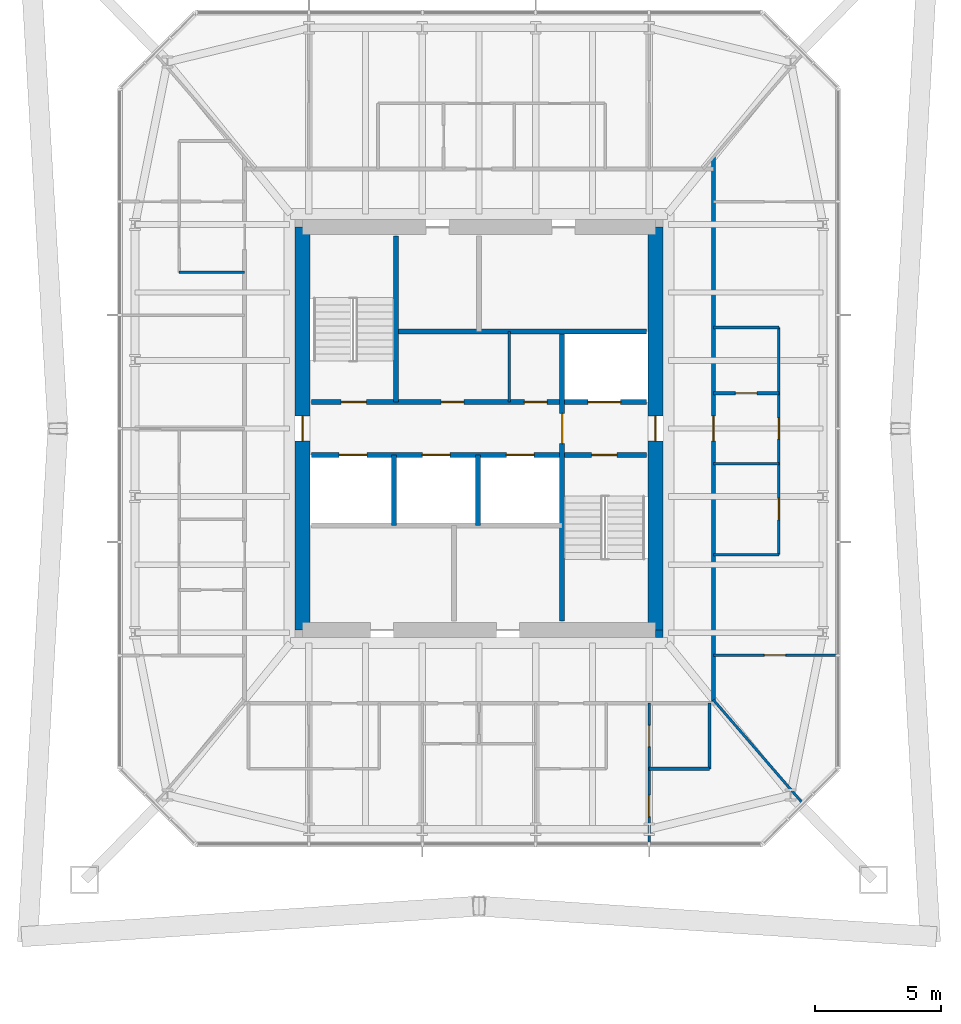
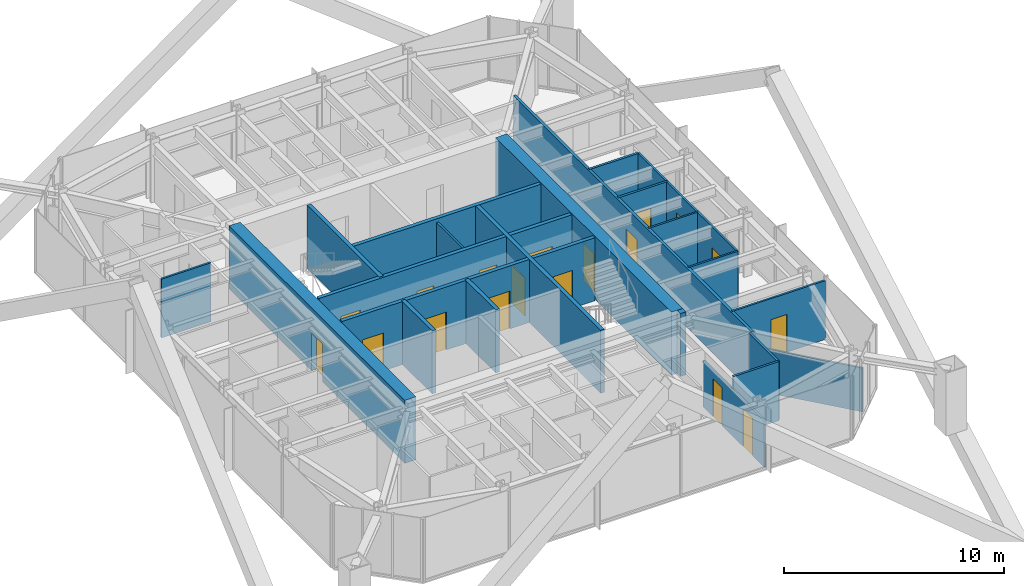
# One storey, part 15 of 21: 23 walls, 18 doors, 18 openings.
"""IFC4 building model written with IfcOpenShell, lengths in metres."""

from ifc_helpers import new_model, si_unit, direction, frame, frame_2d, origin, place, context, subcontext, project, spatial, rectangle, extrude, material, layer, layer_set, type_object, element, fill, save


model = new_model("IFC4")

# Units and contexts
model_context = context("Model", 3, precision=1e-05, world=origin(), true_north=direction((0.0, 1.0)))
body_context = subcontext(model_context, "Body", "Model", "MODEL_VIEW")
ifc_project = project(units=[si_unit("LENGTHUNIT", "METRE"), si_unit("AREAUNIT", "SQUARE_METRE"), si_unit("VOLUMEUNIT", "CUBIC_METRE"), si_unit("PLANEANGLEUNIT", "RADIAN"), si_unit("MASSUNIT", "GRAM", prefix="KILO")], contexts=[model_context])

# Site, building, storey
site_placement = place(None, origin())
site = spatial("IfcSite", under=ifc_project, at=site_placement, CompositionType="ELEMENT")
building_placement = place(site_placement, origin())
building = spatial("IfcBuilding", under=site, at=building_placement, Name="Iwan Alto Co-Living Towers", CompositionType="ELEMENT")
storey_placement = place(building_placement, frame((0.0, 0.0, 80.5)))
storey = spatial("IfcBuildingStorey", under=building, at=storey_placement, Name="L21", CompositionType="ELEMENT", Elevation=80.5)

# Wall, opening, door
ifc_material_1 = material(Name="Gypsum board")
ifc_layer_1 = layer(ifc_material_1, 0.02490234375, Name="Board", Category="Finish")
ifc_material_2 = material(Name="Steel ASTM A1003 ST33H cold-formed studs", Category="steel")
ifc_layer_2 = layer(ifc_material_2, 0.10009765625, Name="Studs", Category="Framing")
ifc_layer_3 = layer(ifc_material_1, 0.02490234375, Name="Board", Category="Finish")
ifc_layer_set_1 = layer_set([ifc_layer_1, ifc_layer_2, ifc_layer_3], Name="CORRIDOR WALL 150")
wall_type_1 = type_object("IfcWallType", Name="CORRIDOR WALL 150", PredefinedType="PARTITIONING", material=ifc_layer_set_1)
wall_1_placement = place(storey_placement, frame((72.300048828125, -10.89990234375, 0.0), z_axis=(0.0, 0.0, 1.0), x_axis=(0.0, 1.0, 0.0)))
wall_1 = element("IfcWall", 1, at=wall_1_placement, inside=storey, type_object=wall_type_1, Name="Partition L21", PredefinedType="PARTITIONING", context=body_context, shape_type="SweptSolid", body=[
    extrude(rectangle(XDim=21.66796875, YDim=0.14990234375, at=frame_2d((10.833984375, 0.0))), origin(), (0.0, 0.0, 1.0), 3.27001953125),
])
opening_1_placement = place(wall_1_placement, frame((10.39990234375, 0.0, 0.0)))
opening_1 = element("IfcOpeningElement", 2, at=opening_1_placement, cuts=wall_1, Name="Opening D3", PredefinedType="OPENING", context=body_context, shape_type="SweptSolid", body=[
    extrude(rectangle(XDim=1.0, YDim=2.10009765625, at=frame_2d((0.5, 1.050048828125))), frame((0.0, 0.0849609375, 0.0), z_axis=(0.0, -1.0, 0.0), x_axis=(1.0, 0.0, 0.0)), (0.0, 0.0, 1.0), 0.169921875),
])
ifc_material_3 = material(Name="Steel frame with timber leaf", Category="steel")
door_type_1 = type_object("IfcDoorType", Name="FLAT ENTRANCE DOOR FD30S 1000X2100", OperationType="SINGLE_SWING_LEFT", PredefinedType="DOOR", material=ifc_material_3)
door_1_placement = place(opening_1_placement, frame((1.0, 0.0, 0.0), z_axis=(0.0, 0.0, 1.0), x_axis=(-1.0, 0.0, 0.0)))
door_1 = element("IfcDoor", 3, at=door_1_placement, inside=storey, type_object=door_type_1, Name="Apartment foyer door L21", OperationType="SINGLE_SWING_RIGHT", OverallHeight=2.10009765625, OverallWidth=1.0, PredefinedType="DOOR", context=body_context, shape_type="SweptSolid", body=[
    extrude(rectangle(XDim=1.0, YDim=2.10009765625, at=frame_2d((0.5, 1.050048828125))), frame((0.0, 0.02490234375, 0.0), z_axis=(0.0, -1.0, 0.0), x_axis=(1.0, 0.0, 0.0)), (0.0, 0.0, 1.0), 0.050048828125),
])
fill(opening_1, door_1)

ifc_layer_4 = layer(ifc_material_1, 0.012451171875, Name="Board", Category="Finish")
ifc_layer_5 = layer(ifc_material_2, 0.074951171875, Name="Studs", Category="Framing")
ifc_layer_6 = layer(ifc_material_1, 0.012451171875, Name="Board", Category="Finish")
ifc_layer_set_2 = layer_set([ifc_layer_4, ifc_layer_5, ifc_layer_6], Name="PARTITION 100")
wall_type_2 = type_object("IfcWallType", Name="PARTITION 100", PredefinedType="PARTITIONING", material=ifc_layer_set_2)
wall_2_placement = place(storey_placement, frame((72.300048828125, -9.0, 0.0), z_axis=(0.0, 0.0, 1.0), x_axis=(1.0, 0.0, 0.0)))
wall_2 = element("IfcWall", 4, at=wall_2_placement, inside=storey, type_object=wall_type_2, Name="Partition L21", PredefinedType="PARTITIONING", context=body_context, shape_type="SweptSolid", body=[
    extrude(rectangle(XDim=4.889892578125, YDim=0.10009765625, at=frame_2d((2.44482421875, 0.0))), origin(), (0.0, 0.0, 1.0), 3.27001953125),
])
opening_2_placement = place(wall_2_placement, frame((2.02001953125, 0.0, 0.0)))
opening_2 = element("IfcOpeningElement", 5, at=opening_2_placement, cuts=wall_2, Name="Opening D2", PredefinedType="OPENING", context=body_context, shape_type="SweptSolid", body=[
    extrude(rectangle(XDim=0.85009765625, YDim=2.10009765625, at=frame_2d((0.425048828125, 1.050048828125))), frame((0.0, 0.06005859375, 0.0), z_axis=(0.0, -1.0, 0.0), x_axis=(1.0, 0.0, 0.0)), (0.0, 0.0, 1.0), 0.1201171875),
])
ifc_material_4 = material(Name="Timber leaf in steel frame", Category="steel")
door_type_2 = type_object("IfcDoorType", Name="ROOM DOOR 850X2100", OperationType="SINGLE_SWING_LEFT", PredefinedType="DOOR", material=ifc_material_4)
door_2_placement = place(opening_2_placement, origin())
door_2 = element("IfcDoor", 6, at=door_2_placement, inside=storey, type_object=door_type_2, Name="Bedroom door L21", OperationType="SINGLE_SWING_LEFT", OverallHeight=2.10009765625, OverallWidth=0.85009765625, PredefinedType="DOOR", context=body_context, shape_type="SweptSolid", body=[
    extrude(rectangle(XDim=0.85009765625, YDim=2.10009765625, at=frame_2d((0.425048828125, 1.050048828125))), frame((0.0, 0.02490234375, 0.0), z_axis=(0.0, -1.0, 0.0), x_axis=(1.0, 0.0, 0.0)), (0.0, 0.0, 1.0), 0.050048828125),
])
fill(opening_2, door_2)

# Walls
for number, where, z_axis, x_axis, name in (
    (7, (72.300048828125, -5.0, 0.0), (0.0, 0.0, 1.0), (1.0, 0.0, 0.0), "Partition L21"),
    (8, (72.300048828125, -1.39990234375, 0.0), (0.0, 0.0, 1.0), (1.0, 0.0, 0.0), "Partition L21"),
    (9, (51.10009765625, 6.199951171875, 0.0), (0.0, 0.0, 1.0), (1.0, 0.0, 0.0), "Partition L21"),
):
    element("IfcWall", number, at=place(storey_placement, frame(where, z_axis=z_axis, x_axis=x_axis)), inside=storey, type_object=wall_type_2, Name=name, PredefinedType="PARTITIONING", context=body_context, shape_type="SweptSolid", body=[
        extrude(rectangle(XDim=2.599853515625, YDim=0.10009765625, at=frame_2d((1.2998046875, 0.0))), origin(), (0.0, 0.0, 1.0), 3.27001953125),
    ])

# Wall, openings, doors
wall_3_placement = place(storey_placement, frame((74.89990234375, -5.0, 0.0), z_axis=(0.0, 0.0, 1.0), x_axis=(0.0, 1.0, 0.0)))
wall_3 = element("IfcWall", 10, at=wall_3_placement, inside=storey, type_object=wall_type_2, Name="Partition L21", PredefinedType="PARTITIONING", context=body_context, shape_type="SweptSolid", body=[
    extrude(rectangle(XDim=9.0, YDim=0.10009765625, at=frame_2d((4.5, 0.0))), origin(), (0.0, 0.0, 1.0), 3.27001953125),
])
opening_3_placement = place(wall_3_placement, frame((1.375, 0.0, 0.0)))
opening_3 = element("IfcOpeningElement", 11, at=opening_3_placement, cuts=wall_3, Name="Opening D2", PredefinedType="OPENING", context=body_context, shape_type="SweptSolid", body=[
    extrude(rectangle(XDim=0.85009765625, YDim=2.10009765625, at=frame_2d((0.425048828125, 1.050048828125))), frame((0.0, 0.06005859375, 0.0), z_axis=(0.0, -1.0, 0.0), x_axis=(1.0, 0.0, 0.0)), (0.0, 0.0, 1.0), 0.1201171875),
])
opening_4_placement = place(wall_3_placement, frame((4.574951171875, 0.0, 0.0)))
opening_4 = element("IfcOpeningElement", 12, at=opening_4_placement, cuts=wall_3, Name="Opening D2", PredefinedType="OPENING", context=body_context, shape_type="SweptSolid", body=[
    extrude(rectangle(XDim=0.85009765625, YDim=2.10009765625, at=frame_2d((0.425048828125, 1.050048828125))), frame((0.0, 0.06005859375, 0.0), z_axis=(0.0, -1.0, 0.0), x_axis=(1.0, 0.0, 0.0)), (0.0, 0.0, 1.0), 0.1201171875),
])
door_3_placement = place(opening_3_placement, frame((0.85009765625, 0.0, 0.0), z_axis=(0.0, 0.0, 1.0), x_axis=(-1.0, 0.0, 0.0)))
door_3 = element("IfcDoor", 13, at=door_3_placement, inside=storey, type_object=door_type_2, Name="Kitchen door L21", OperationType="SINGLE_SWING_RIGHT", OverallHeight=2.10009765625, OverallWidth=0.85009765625, PredefinedType="DOOR", context=body_context, shape_type="SweptSolid", body=[
    extrude(rectangle(XDim=0.85009765625, YDim=2.10009765625, at=frame_2d((0.425048828125, 1.050048828125))), frame((0.0, 0.02490234375, 0.0), z_axis=(0.0, -1.0, 0.0), x_axis=(1.0, 0.0, 0.0)), (0.0, 0.0, 1.0), 0.050048828125),
])
fill(opening_3, door_3)
door_4_placement = place(opening_4_placement, frame((0.85009765625, 0.0, 0.0), z_axis=(0.0, 0.0, 1.0), x_axis=(-1.0, 0.0, 0.0)))
door_4 = element("IfcDoor", 14, at=door_4_placement, inside=storey, type_object=door_type_2, Name="Apartment foyer door L21", OperationType="SINGLE_SWING_RIGHT", OverallHeight=2.10009765625, OverallWidth=0.85009765625, PredefinedType="DOOR", context=body_context, shape_type="SweptSolid", body=[
    extrude(rectangle(XDim=0.85009765625, YDim=2.10009765625, at=frame_2d((0.425048828125, 1.050048828125))), frame((0.0, 0.02490234375, 0.0), z_axis=(0.0, -1.0, 0.0), x_axis=(1.0, 0.0, 0.0)), (0.0, 0.0, 1.0), 0.050048828125),
])
fill(opening_4, door_4)

wall_4_placement = place(storey_placement, frame((69.75, -16.43994140625, 0.0), z_axis=(0.0, 0.0, 1.0), x_axis=(0.0, 1.0, 0.0)))
wall_4 = element("IfcWall", 15, at=wall_4_placement, inside=storey, type_object=wall_type_2, Name="Partition L21", PredefinedType="PARTITIONING", context=body_context, shape_type="SweptSolid", body=[
    extrude(rectangle(XDim=5.5400390625, YDim=0.10009765625, at=frame_2d((2.77001953125, 0.0))), origin(), (0.0, 0.0, 1.0), 2.586669921875),
])
opening_5_placement = place(wall_4_placement, frame((3.81494140625, 0.0, 0.0)))
opening_5 = element("IfcOpeningElement", 16, at=opening_5_placement, cuts=wall_4, Name="Opening D2", PredefinedType="OPENING", context=body_context, shape_type="SweptSolid", body=[
    extrude(rectangle(XDim=0.85009765625, YDim=2.10009765625, at=frame_2d((0.425048828125, 1.050048828125))), frame((0.0, 0.06005859375, 0.0), z_axis=(0.0, -1.0, 0.0), x_axis=(1.0, 0.0, 0.0)), (0.0, 0.0, 1.0), 0.1201171875),
])
opening_6_placement = place(wall_4_placement, frame((1.044921875, 0.0, 0.0)))
opening_6 = element("IfcOpeningElement", 17, at=opening_6_placement, cuts=wall_4, Name="Opening D2", PredefinedType="OPENING", context=body_context, shape_type="SweptSolid", body=[
    extrude(rectangle(XDim=0.85009765625, YDim=2.10009765625, at=frame_2d((0.425048828125, 1.050048828125))), frame((0.0, 0.06005859375, 0.0), z_axis=(0.0, -1.0, 0.0), x_axis=(1.0, 0.0, 0.0)), (0.0, 0.0, 1.0), 0.1201171875),
])
door_5_placement = place(opening_5_placement, origin())
door_5 = element("IfcDoor", 18, at=door_5_placement, inside=storey, type_object=door_type_2, Name="Bathroom door L21", OperationType="SINGLE_SWING_RIGHT", OverallHeight=2.10009765625, OverallWidth=0.85009765625, PredefinedType="DOOR", context=body_context, shape_type="SweptSolid", body=[
    extrude(rectangle(XDim=0.85009765625, YDim=2.10009765625, at=frame_2d((0.425048828125, 1.050048828125))), frame((0.0, 0.02490234375, 0.0), z_axis=(0.0, -1.0, 0.0), x_axis=(1.0, 0.0, 0.0)), (0.0, 0.0, 1.0), 0.050048828125),
])
fill(opening_5, door_5)
door_6_placement = place(opening_6_placement, frame((0.85009765625, 0.0, 0.0), z_axis=(0.0, 0.0, 1.0), x_axis=(-1.0, 0.0, 0.0)))
door_6 = element("IfcDoor", 19, at=door_6_placement, inside=storey, type_object=door_type_2, Name="Bedroom door L21", OperationType="SINGLE_SWING_LEFT", OverallHeight=2.10009765625, OverallWidth=0.85009765625, PredefinedType="DOOR", context=body_context, shape_type="SweptSolid", body=[
    extrude(rectangle(XDim=0.85009765625, YDim=2.10009765625, at=frame_2d((0.425048828125, 1.050048828125))), frame((0.0, 0.02490234375, 0.0), z_axis=(0.0, -1.0, 0.0), x_axis=(1.0, 0.0, 0.0)), (0.0, 0.0, 1.0), 0.050048828125),
])
fill(opening_6, door_6)

# Walls
wall_5_placement = place(storey_placement, frame((64.199951171875, 1.050048828125, 0.0), z_axis=(0.0, 0.0, 1.0), x_axis=(0.0, 1.0, 0.0)))
element("IfcWall", 20, at=wall_5_placement, inside=storey, type_object=wall_type_2, Name="Partition L21", PredefinedType="PARTITIONING", context=body_context, shape_type="SweptSolid", body=[
    extrude(rectangle(XDim=2.800048828125, YDim=0.10009765625, at=frame_2d((1.39990234375, 0.0))), origin(), (0.0, 0.0, 1.0), 3.300048828125),
])
wall_6_placement = place(storey_placement, frame((75.821044921875, -14.843994140625, 0.0), z_axis=(0.0, 0.0, 1.0), x_axis=(-0.653713095188, 0.756742485381, 0.0)))
element("IfcWall", 21, at=wall_6_placement, inside=storey, type_object=wall_type_2, Name="Partition L21", PredefinedType="PARTITIONING", context=body_context, shape_type="SweptSolid", body=[
    extrude(rectangle(XDim=5.38623046875, YDim=0.10009765625, at=frame_2d((2.693115234375, 0.0))), origin(), (0.0, 0.0, 1.0), 2.42919921875),
])

# Wall, openings, doors
ifc_material_5 = material(Name="Concrete f'c 70 MPa", Category="concrete")
ifc_layer_7 = layer(ifc_material_5, 0.199951171875)
ifc_layer_set_3 = layer_set([ifc_layer_7], Name="SHAFT WALL 200")
wall_type_3 = type_object("IfcWallType", Name="SHAFT WALL 200", PredefinedType="SOLIDWALL", material=ifc_layer_set_3)
wall_7_placement = place(storey_placement, frame((56.360107421875, -1.050048828125, 0.0), z_axis=(0.0, 0.0, 1.0), x_axis=(1.0, 0.0, 0.0)))
wall_7 = element("IfcWall", 22, at=wall_7_placement, inside=storey, type_object=wall_type_3, Name="Shaft wall L21", PredefinedType="SOLIDWALL", context=body_context, shape_type="SweptSolid", body=[
    extrude(rectangle(XDim=13.27978515625, YDim=0.199951171875, at=frame_2d((6.639892578125, 0.0))), origin(), (0.0, 0.0, 1.0), 3.5),
])
opening_7_placement = place(wall_7_placement, frame((11.110107421875, 0.0, 0.0)))
opening_7 = element("IfcOpeningElement", 23, at=opening_7_placement, cuts=wall_7, Name="Opening D5", PredefinedType="OPENING", context=body_context, shape_type="SweptSolid", body=[
    extrude(rectangle(XDim=1.0, YDim=2.10009765625, at=frame_2d((0.5, 1.050048828125))), frame((0.0, 0.10986328125, 0.0), z_axis=(0.0, -1.0, 0.0), x_axis=(1.0, 0.0, 0.0)), (0.0, 0.0, 1.0), 0.219970703125),
])
opening_8_placement = place(wall_7_placement, frame((1.0869140625, 0.0, 0.0)))
opening_8 = element("IfcOpeningElement", 24, at=opening_8_placement, cuts=wall_7, Name="Opening LD", PredefinedType="OPENING", context=body_context, shape_type="SweptSolid", body=[
    extrude(rectangle(XDim=1.10009765625, YDim=2.10009765625, at=frame_2d((0.550048828125, 1.050048828125))), frame((0.0, 0.10986328125, 0.0), z_axis=(0.0, -1.0, 0.0), x_axis=(1.0, 0.0, 0.0)), (0.0, 0.0, 1.0), 0.219970703125),
])
opening_9_placement = place(wall_7_placement, frame((4.389892578125, 0.0, 0.0)))
opening_9 = element("IfcOpeningElement", 25, at=opening_9_placement, cuts=wall_7, Name="Opening LD", PredefinedType="OPENING", context=body_context, shape_type="SweptSolid", body=[
    extrude(rectangle(XDim=1.10009765625, YDim=2.10009765625, at=frame_2d((0.550048828125, 1.050048828125))), frame((0.0, 0.10986328125, 0.0), z_axis=(0.0, -1.0, 0.0), x_axis=(1.0, 0.0, 0.0)), (0.0, 0.0, 1.0), 0.219970703125),
])
opening_10_placement = place(wall_7_placement, frame((7.72412109375, 0.0, 0.0)))
opening_10 = element("IfcOpeningElement", 26, at=opening_10_placement, cuts=wall_7, Name="Opening LD", PredefinedType="OPENING", context=body_context, shape_type="SweptSolid", body=[
    extrude(rectangle(XDim=1.10009765625, YDim=2.10009765625, at=frame_2d((0.550048828125, 1.050048828125))), frame((0.0, 0.10986328125, 0.0), z_axis=(0.0, -1.0, 0.0), x_axis=(1.0, 0.0, 0.0)), (0.0, 0.0, 1.0), 0.219970703125),
])
ifc_material_6 = material(Name="Steel frame with timber leaf", Category="steel")
door_type_3 = type_object("IfcDoorType", Name="LIFT LANDING DOOR 1100X2100", OperationType="DOUBLE_DOOR_SLIDING", PredefinedType="DOOR", material=ifc_material_6)
door_7_placement = place(opening_8_placement, origin())
door_7 = element("IfcDoor", 27, at=door_7_placement, inside=storey, type_object=door_type_3, Name="Lift P5-1 landing door L21", OperationType="DOUBLE_DOOR_SLIDING", OverallHeight=2.10009765625, OverallWidth=1.10009765625, PredefinedType="DOOR", context=body_context, shape_type="SweptSolid", body=[
    extrude(rectangle(XDim=1.10009765625, YDim=2.10009765625, at=frame_2d((0.550048828125, 1.050048828125))), frame((0.0, 0.02490234375, 0.0), z_axis=(0.0, -1.0, 0.0), x_axis=(1.0, 0.0, 0.0)), (0.0, 0.0, 1.0), 0.050048828125),
])
fill(opening_8, door_7)
door_8_placement = place(opening_9_placement, origin())
door_8 = element("IfcDoor", 28, at=door_8_placement, inside=storey, type_object=door_type_3, Name="Lift P5-2 landing door L21", OperationType="DOUBLE_DOOR_SLIDING", OverallHeight=2.10009765625, OverallWidth=1.10009765625, PredefinedType="DOOR", context=body_context, shape_type="SweptSolid", body=[
    extrude(rectangle(XDim=1.10009765625, YDim=2.10009765625, at=frame_2d((0.550048828125, 1.050048828125))), frame((0.0, 0.02490234375, 0.0), z_axis=(0.0, -1.0, 0.0), x_axis=(1.0, 0.0, 0.0)), (0.0, 0.0, 1.0), 0.050048828125),
])
fill(opening_9, door_8)
door_9_placement = place(opening_10_placement, origin())
door_9 = element("IfcDoor", 29, at=door_9_placement, inside=storey, type_object=door_type_3, Name="Lift P6-3 landing door L21", OperationType="DOUBLE_DOOR_SLIDING", OverallHeight=2.10009765625, OverallWidth=1.10009765625, PredefinedType="DOOR", context=body_context, shape_type="SweptSolid", body=[
    extrude(rectangle(XDim=1.10009765625, YDim=2.10009765625, at=frame_2d((0.550048828125, 1.050048828125))), frame((0.0, 0.02490234375, 0.0), z_axis=(0.0, -1.0, 0.0), x_axis=(1.0, 0.0, 0.0)), (0.0, 0.0, 1.0), 0.050048828125),
])
fill(opening_10, door_9)
ifc_material_7 = material(Name="Steel frame with timber leaf", Category="steel")
door_type_4 = type_object("IfcDoorType", Name="STAIR DOOR FD120S 1000X2100", OperationType="SINGLE_SWING_LEFT", PredefinedType="DOOR", material=ifc_material_7)
door_10_placement = place(opening_7_placement, frame((1.0, 0.0, 0.0), z_axis=(0.0, 0.0, 1.0), x_axis=(-1.0, 0.0, 0.0)))
door_10 = element("IfcDoor", 30, at=door_10_placement, inside=storey, type_object=door_type_4, Name="Stair S2 door L21", OperationType="SINGLE_SWING_RIGHT", OverallHeight=2.10009765625, OverallWidth=1.0, PredefinedType="DOOR", context=body_context, shape_type="SweptSolid", body=[
    extrude(rectangle(XDim=1.0, YDim=2.10009765625, at=frame_2d((0.5, 1.050048828125))), frame((0.0, 0.02490234375, 0.0), z_axis=(0.0, -1.0, 0.0), x_axis=(1.0, 0.0, 0.0)), (0.0, 0.0, 1.0), 0.050048828125),
])
fill(opening_7, door_10)

wall_8_placement = place(storey_placement, frame((56.360107421875, 1.050048828125, 0.0), z_axis=(0.0, 0.0, 1.0), x_axis=(1.0, 0.0, 0.0)))
wall_8 = element("IfcWall", 31, at=wall_8_placement, inside=storey, type_object=wall_type_3, Name="Shaft wall L21", PredefinedType="SOLIDWALL", context=body_context, shape_type="SweptSolid", body=[
    extrude(rectangle(XDim=13.27978515625, YDim=0.199951171875, at=frame_2d((6.639892578125, 0.0))), origin(), (0.0, 0.0, 1.0), 3.5),
])
opening_11_placement = place(wall_8_placement, frame((1.169921875, 0.0, 0.0)))
opening_11 = element("IfcOpeningElement", 32, at=opening_11_placement, cuts=wall_8, Name="Opening D5", PredefinedType="OPENING", context=body_context, shape_type="SweptSolid", body=[
    extrude(rectangle(XDim=1.0, YDim=2.10009765625, at=frame_2d((0.5, 1.050048828125))), frame((0.0, 0.10986328125, 0.0), z_axis=(0.0, -1.0, 0.0), x_axis=(1.0, 0.0, 0.0)), (0.0, 0.0, 1.0), 0.219970703125),
])
opening_12_placement = place(wall_8_placement, frame((5.139892578125, 0.0, 0.0)))
opening_12 = element("IfcOpeningElement", 33, at=opening_12_placement, cuts=wall_8, Name="Opening D8", PredefinedType="OPENING", context=body_context, shape_type="SweptSolid", body=[
    extrude(rectangle(XDim=0.89990234375, YDim=2.10009765625, at=frame_2d((0.449951171875, 1.050048828125))), frame((0.0, 0.10986328125, 0.0), z_axis=(0.0, -1.0, 0.0), x_axis=(1.0, 0.0, 0.0)), (0.0, 0.0, 1.0), 0.219970703125),
])
opening_13_placement = place(wall_8_placement, frame((8.43994140625, 0.0, 0.0)))
opening_13 = element("IfcOpeningElement", 34, at=opening_13_placement, cuts=wall_8, Name="Opening D15", PredefinedType="OPENING", context=body_context, shape_type="SweptSolid", body=[
    extrude(rectangle(XDim=0.89990234375, YDim=2.10009765625, at=frame_2d((0.449951171875, 1.050048828125))), frame((0.0, 0.10986328125, 0.0), z_axis=(0.0, -1.0, 0.0), x_axis=(1.0, 0.0, 0.0)), (0.0, 0.0, 1.0), 0.219970703125),
])
opening_14_placement = place(wall_8_placement, frame((10.9599609375, 0.0, 0.0)))
opening_14 = element("IfcOpeningElement", 35, at=opening_14_placement, cuts=wall_8, Name="Opening LD2", PredefinedType="OPENING", context=body_context, shape_type="SweptSolid", body=[
    extrude(rectangle(XDim=1.300048828125, YDim=2.10009765625, at=frame_2d((0.64990234375, 1.050048828125))), frame((0.0, 0.10986328125, 0.0), z_axis=(0.0, -1.0, 0.0), x_axis=(1.0, 0.0, 0.0)), (0.0, 0.0, 1.0), 0.219970703125),
])
ifc_material_8 = material(Name="Steel frame with timber leaf", Category="steel")
door_type_5 = type_object("IfcDoorType", Name="CORE ROOM DOOR FD60S 900X2100", OperationType="SINGLE_SWING_LEFT", PredefinedType="DOOR", material=ifc_material_8)
door_11_placement = place(opening_13_placement, origin())
door_11 = element("IfcDoor", 36, at=door_11_placement, inside=storey, type_object=door_type_5, Name="IT room door L21", OperationType="SINGLE_SWING_LEFT", OverallHeight=2.10009765625, OverallWidth=0.89990234375, PredefinedType="DOOR", context=body_context, shape_type="SweptSolid", body=[
    extrude(rectangle(XDim=0.89990234375, YDim=2.10009765625, at=frame_2d((0.449951171875, 1.050048828125))), frame((0.0, 0.02490234375, 0.0), z_axis=(0.0, -1.0, 0.0), x_axis=(1.0, 0.0, 0.0)), (0.0, 0.0, 1.0), 0.050048828125),
])
fill(opening_13, door_11)
ifc_material_9 = material(Name="Steel frame with timber leaf", Category="steel")
door_type_6 = type_object("IfcDoorType", Name="LIFT LANDING DOOR 1300X2100", OperationType="SLIDING_TO_LEFT", PredefinedType="DOOR", material=ifc_material_9)
door_12_placement = place(opening_14_placement, origin())
door_12 = element("IfcDoor", 37, at=door_12_placement, inside=storey, type_object=door_type_6, Name="Lift FL2 landing door L21", OperationType="SLIDING_TO_LEFT", OverallHeight=2.10009765625, OverallWidth=1.300048828125, PredefinedType="DOOR", context=body_context, shape_type="SweptSolid", body=[
    extrude(rectangle(XDim=1.300048828125, YDim=2.10009765625, at=frame_2d((0.64990234375, 1.050048828125))), frame((0.0, 0.02490234375, 0.0), z_axis=(0.0, -1.0, 0.0), x_axis=(1.0, 0.0, 0.0)), (0.0, 0.0, 1.0), 0.050048828125),
])
fill(opening_14, door_12)
ifc_material_10 = material(Name="Steel frame with timber leaf", Category="steel")
door_type_7 = type_object("IfcDoorType", Name="RISER DOOR FD120 900X2100", OperationType="SINGLE_SWING_LEFT", PredefinedType="DOOR", material=ifc_material_10)
door_13_placement = place(opening_12_placement, origin())
door_13 = element("IfcDoor", 38, at=door_13_placement, inside=storey, type_object=door_type_7, Name="Riser room door L21", OperationType="SINGLE_SWING_LEFT", OverallHeight=2.10009765625, OverallWidth=0.89990234375, PredefinedType="DOOR", context=body_context, shape_type="SweptSolid", body=[
    extrude(rectangle(XDim=0.89990234375, YDim=2.10009765625, at=frame_2d((0.449951171875, 1.050048828125))), frame((0.0, 0.02490234375, 0.0), z_axis=(0.0, -1.0, 0.0), x_axis=(1.0, 0.0, 0.0)), (0.0, 0.0, 1.0), 0.050048828125),
])
fill(opening_12, door_13)
door_14_placement = place(opening_11_placement, origin())
door_14 = element("IfcDoor", 39, at=door_14_placement, inside=storey, type_object=door_type_4, Name="Stair S1 door L21", OperationType="SINGLE_SWING_RIGHT", OverallHeight=2.10009765625, OverallWidth=1.0, PredefinedType="DOOR", context=body_context, shape_type="SweptSolid", body=[
    extrude(rectangle(XDim=1.0, YDim=2.10009765625, at=frame_2d((0.5, 1.050048828125))), frame((0.0, 0.02490234375, 0.0), z_axis=(0.0, -1.0, 0.0), x_axis=(1.0, 0.0, 0.0)), (0.0, 0.0, 1.0), 0.050048828125),
])
fill(opening_11, door_14)

# Wall
wall_9_placement = place(storey_placement, frame((59.699951171875, 3.85009765625, 0.0), z_axis=(0.0, 0.0, 1.0), x_axis=(1.0, 0.0, 0.0)))
element("IfcWall", 40, at=wall_9_placement, inside=storey, type_object=wall_type_3, Name="Shaft wall L21", PredefinedType="SOLIDWALL", context=body_context, shape_type="SweptSolid", body=[
    extrude(rectangle(XDim=9.93994140625, YDim=0.199951171875, at=frame_2d((4.969970703125, 0.0))), origin(), (0.0, 0.0, 1.0), 3.5),
])

# Wall, opening, door
wall_10_placement = place(storey_placement, frame((66.300048828125, -7.639892578125, 0.0), z_axis=(0.0, 0.0, 1.0), x_axis=(0.0, 1.0, 0.0)))
wall_10 = element("IfcWall", 41, at=wall_10_placement, inside=storey, type_object=wall_type_3, Name="Shaft wall L21", PredefinedType="SOLIDWALL", context=body_context, shape_type="SweptSolid", body=[
    extrude(rectangle(XDim=11.489990234375, YDim=0.199951171875, at=frame_2d((5.7451171875, 0.0))), origin(), (0.0, 0.0, 1.0), 3.5),
])
opening_15_placement = place(wall_10_placement, frame((7.0400390625, 0.0, 0.0)))
opening_15 = element("IfcOpeningElement", 42, at=opening_15_placement, cuts=wall_10, Name="Opening D6", PredefinedType="OPENING", context=body_context, shape_type="SweptSolid", body=[
    extrude(rectangle(XDim=1.199951171875, YDim=2.10009765625, at=frame_2d((0.60009765625, 1.050048828125))), frame((0.0, 0.10986328125, 0.0), z_axis=(0.0, -1.0, 0.0), x_axis=(1.0, 0.0, 0.0)), (0.0, 0.0, 1.0), 0.219970703125),
])
ifc_material_11 = material(Name="Steel frame with timber leaf", Category="steel")
door_type_8 = type_object("IfcDoorType", Name="LOBBY DOOR FD120S 1200X2100", OperationType="SINGLE_SWING_LEFT", PredefinedType="DOOR", material=ifc_material_11)
door_15_placement = place(opening_15_placement, frame((1.199951171875, 0.0, 0.0), z_axis=(0.0, 0.0, 1.0), x_axis=(-1.0, 0.0, 0.0)))
door_15 = element("IfcDoor", 43, at=door_15_placement, inside=storey, type_object=door_type_8, Name="Firefighting lobby door L21", OperationType="SINGLE_SWING_RIGHT", OverallHeight=2.10009765625, OverallWidth=1.199951171875, PredefinedType="DOOR", context=body_context, shape_type="SweptSolid", body=[
    extrude(rectangle(XDim=1.199951171875, YDim=2.10009765625, at=frame_2d((0.60009765625, 1.050048828125))), frame((0.0, 0.02490234375, 0.0), z_axis=(0.0, -1.0, 0.0), x_axis=(1.0, 0.0, 0.0)), (0.0, 0.0, 1.0), 0.050048828125),
])
fill(opening_15, door_15)

# Walls
wall_11_placement = place(storey_placement, frame((62.967041015625, -3.85009765625, 0.0), z_axis=(0.0, 0.0, 1.0), x_axis=(0.0, 1.0, 0.0)))
element("IfcWall", 44, at=wall_11_placement, inside=storey, type_object=wall_type_3, Name="Shaft wall L21", PredefinedType="SOLIDWALL", context=body_context, shape_type="SweptSolid", body=[
    extrude(rectangle(XDim=2.800048828125, YDim=0.199951171875, at=frame_2d((1.39990234375, 0.0))), origin(), (0.0, 0.0, 1.0), 3.5),
])
wall_12_placement = place(storey_placement, frame((59.699951171875, 1.050048828125, 0.0), z_axis=(0.0, 0.0, 1.0), x_axis=(0.0, 1.0, 0.0)))
element("IfcWall", 45, at=wall_12_placement, inside=storey, type_object=wall_type_3, Name="Shaft wall L21", PredefinedType="SOLIDWALL", context=body_context, shape_type="SweptSolid", body=[
    extrude(rectangle(XDim=6.58984375, YDim=0.199951171875, at=frame_2d((3.294921875, 0.0))), origin(), (0.0, 0.0, 1.0), 3.5),
])
wall_13_placement = place(storey_placement, frame((59.633056640625, -3.85009765625, 0.0), z_axis=(0.0, 0.0, 1.0), x_axis=(0.0, 1.0, 0.0)))
element("IfcWall", 46, at=wall_13_placement, inside=storey, type_object=wall_type_3, Name="Shaft wall L21", PredefinedType="SOLIDWALL", context=body_context, shape_type="SweptSolid", body=[
    extrude(rectangle(XDim=2.800048828125, YDim=0.199951171875, at=frame_2d((1.39990234375, 0.0))), origin(), (0.0, 0.0, 1.0), 3.5),
])
ifc_material_12 = material(Name="Concrete f'c 70 MPa", Category="concrete")
ifc_layer_8 = layer(ifc_material_12, 0.300048828125)
ifc_layer_set_4 = layer_set([ifc_layer_8], Name="T2 CORE CORNER FILL 300")
wall_type_4 = type_object("IfcWallType", Name="T2 CORE CORNER FILL 300", PredefinedType="SOLIDWALL", material=ifc_layer_set_4)
wall_14_placement = place(storey_placement, frame((70.0, -8.14990234375, 0.0), z_axis=(0.0, 0.0, 1.0), x_axis=(1.0, 0.0, 0.0)))
element("IfcWall", 47, at=wall_14_placement, inside=storey, type_object=wall_type_4, Name="T2 core corner SE L21", PredefinedType="SOLIDWALL", context=body_context, shape_type="SweptSolid", body=[
    extrude(rectangle(XDim=0.300048828125, YDim=0.300048828125, at=frame_2d((0.14990234375, 0.0))), origin(), (0.0, 0.0, 1.0), 3.5),
])

# Wall, opening, door
ifc_material_13 = material(Name="Concrete f'c 70 MPa", Category="concrete")
ifc_layer_9 = layer(ifc_material_13, 0.60009765625)
ifc_layer_set_5 = layer_set([ifc_layer_9], Name="T2 CORE WALL 600")
wall_type_5 = type_object("IfcWallType", Name="T2 CORE WALL 600", PredefinedType="SHEAR", material=ifc_layer_set_5)
wall_15_placement = place(storey_placement, frame((70.0, -8.0, 0.0), z_axis=(0.0, 0.0, 1.0), x_axis=(0.0, 1.0, 0.0)))
wall_15 = element("IfcWall", 48, at=wall_15_placement, inside=storey, type_object=wall_type_5, Name="T2 core wall E L21", PredefinedType="SHEAR", context=body_context, shape_type="SweptSolid", body=[
    extrude(rectangle(XDim=16.0, YDim=0.60009765625, at=frame_2d((8.0, 0.0))), origin(), (0.0, 0.0, 1.0), 3.5),
])
opening_16_placement = place(wall_15_placement, frame((7.5, 0.0, 0.0)))
opening_16 = element("IfcOpeningElement", 49, at=opening_16_placement, cuts=wall_15, Name="Opening D7", PredefinedType="OPENING", context=body_context, shape_type="SweptSolid", body=[
    extrude(rectangle(XDim=1.0, YDim=2.10009765625, at=frame_2d((0.5, 1.050048828125))), frame((0.0, 0.31005859375, 0.0), z_axis=(0.0, -1.0, 0.0), x_axis=(1.0, 0.0, 0.0)), (0.0, 0.0, 1.0), 0.6201171875),
])
ifc_material_14 = material(Name="Steel frame with timber leaf", Category="steel")
door_type_9 = type_object("IfcDoorType", Name="CORE DOOR FD120S 1000X2100", OperationType="SINGLE_SWING_LEFT", PredefinedType="DOOR", material=ifc_material_14)
door_16_placement = place(opening_16_placement, origin())
door_16 = element("IfcDoor", 50, at=door_16_placement, inside=storey, type_object=door_type_9, Name="Firefighting lobby core door L21", OperationType="SINGLE_SWING_LEFT", OverallHeight=2.10009765625, OverallWidth=1.0, PredefinedType="DOOR", context=body_context, shape_type="SweptSolid", body=[
    extrude(rectangle(XDim=1.0, YDim=2.10009765625, at=frame_2d((0.5, 1.050048828125))), frame((0.0, 0.02490234375, 0.0), z_axis=(0.0, -1.0, 0.0), x_axis=(1.0, 0.0, 0.0)), (0.0, 0.0, 1.0), 0.050048828125),
])
fill(opening_16, door_16)

wall_16_placement = place(storey_placement, frame((56.0, 8.0, 0.0), z_axis=(0.0, 0.0, 1.0), x_axis=(0.0, -1.0, 0.0)))
wall_16 = element("IfcWall", 51, at=wall_16_placement, inside=storey, type_object=wall_type_5, Name="T2 core wall W L21", PredefinedType="SHEAR", context=body_context, shape_type="SweptSolid", body=[
    extrude(rectangle(XDim=16.0, YDim=0.60009765625, at=frame_2d((8.0, 0.0))), origin(), (0.0, 0.0, 1.0), 3.5),
])
opening_17_placement = place(wall_16_placement, frame((7.5, 0.0, 0.0)))
opening_17 = element("IfcOpeningElement", 52, at=opening_17_placement, cuts=wall_16, Name="Opening D7", PredefinedType="OPENING", context=body_context, shape_type="SweptSolid", body=[
    extrude(rectangle(XDim=1.0, YDim=2.10009765625, at=frame_2d((0.5, 1.050048828125))), frame((0.0, 0.31005859375, 0.0), z_axis=(0.0, -1.0, 0.0), x_axis=(1.0, 0.0, 0.0)), (0.0, 0.0, 1.0), 0.6201171875),
])
door_17_placement = place(opening_17_placement, origin())
door_17 = element("IfcDoor", 53, at=door_17_placement, inside=storey, type_object=door_type_9, Name="Lift lobby core door L21", OperationType="SINGLE_SWING_RIGHT", OverallHeight=2.10009765625, OverallWidth=1.0, PredefinedType="DOOR", context=body_context, shape_type="SweptSolid", body=[
    extrude(rectangle(XDim=1.0, YDim=2.10009765625, at=frame_2d((0.5, 1.050048828125))), frame((0.0, 0.02490234375, 0.0), z_axis=(0.0, -1.0, 0.0), x_axis=(1.0, 0.0, 0.0)), (0.0, 0.0, 1.0), 0.050048828125),
])
fill(opening_17, door_17)

# Wall
ifc_material_15 = material(Name="Cement board")
ifc_layer_10 = layer(ifc_material_15, 0.012451171875, Name="Board", Category="Finish")
ifc_layer_11 = layer(ifc_material_2, 0.094970703125, Name="Studs", Category="Framing")
ifc_layer_12 = layer(ifc_material_15, 0.012451171875, Name="Board", Category="Finish")
ifc_layer_set_6 = layer_set([ifc_layer_10, ifc_layer_11, ifc_layer_12], Name="WET AREA PARTITION 120")
wall_type_6 = type_object("IfcWallType", Name="WET AREA PARTITION 120", PredefinedType="PARTITIONING", material=ifc_layer_set_6)
wall_17_placement = place(storey_placement, frame((69.75, -13.5, 0.0), z_axis=(0.0, 0.0, 1.0), x_axis=(1.0, 0.0, 0.0)))
element("IfcWall", 54, at=wall_17_placement, inside=storey, type_object=wall_type_6, Name="Partition L21", PredefinedType="PARTITIONING", context=body_context, shape_type="SweptSolid", body=[
    extrude(rectangle(XDim=2.39990234375, YDim=0.1201171875, at=frame_2d((1.199951171875, 0.0))), origin(), (0.0, 0.0, 1.0), 3.27001953125),
])

# Wall, opening, door
wall_18_placement = place(storey_placement, frame((72.300048828125, 1.39990234375, 0.0), z_axis=(0.0, 0.0, 1.0), x_axis=(1.0, 0.0, 0.0)))
wall_18 = element("IfcWall", 55, at=wall_18_placement, inside=storey, type_object=wall_type_6, Name="Partition L21", PredefinedType="PARTITIONING", context=body_context, shape_type="SweptSolid", body=[
    extrude(rectangle(XDim=2.599853515625, YDim=0.1201171875, at=frame_2d((1.2998046875, 0.0))), origin(), (0.0, 0.0, 1.0), 3.27001953125),
])
opening_18_placement = place(wall_18_placement, frame((0.875, 0.0, 0.0)))
opening_18 = element("IfcOpeningElement", 56, at=opening_18_placement, cuts=wall_18, Name="Opening D2", PredefinedType="OPENING", context=body_context, shape_type="SweptSolid", body=[
    extrude(rectangle(XDim=0.85009765625, YDim=2.10009765625, at=frame_2d((0.425048828125, 1.050048828125))), frame((0.0, 0.070068359375, 0.0), z_axis=(0.0, -1.0, 0.0), x_axis=(1.0, 0.0, 0.0)), (0.0, 0.0, 1.0), 0.14013671875),
])
door_18_placement = place(opening_18_placement, origin())
door_18 = element("IfcDoor", 57, at=door_18_placement, inside=storey, type_object=door_type_2, Name="Bathroom door L21", OperationType="SINGLE_SWING_LEFT", OverallHeight=2.10009765625, OverallWidth=0.85009765625, PredefinedType="DOOR", context=body_context, shape_type="SweptSolid", body=[
    extrude(rectangle(XDim=0.85009765625, YDim=2.10009765625, at=frame_2d((0.425048828125, 1.050048828125))), frame((0.0, 0.02490234375, 0.0), z_axis=(0.0, -1.0, 0.0), x_axis=(1.0, 0.0, 0.0)), (0.0, 0.0, 1.0), 0.050048828125),
])
fill(opening_18, door_18)

# Walls
wall_19_placement = place(storey_placement, frame((72.300048828125, 4.0, 0.0), z_axis=(0.0, 0.0, 1.0), x_axis=(1.0, 0.0, 0.0)))
element("IfcWall", 58, at=wall_19_placement, inside=storey, type_object=wall_type_6, Name="Partition L21", PredefinedType="PARTITIONING", context=body_context, shape_type="SweptSolid", body=[
    extrude(rectangle(XDim=2.599853515625, YDim=0.1201171875, at=frame_2d((1.2998046875, 0.0))), origin(), (0.0, 0.0, 1.0), 3.27001953125),
])
wall_20_placement = place(storey_placement, frame((72.14990234375, -13.5, 0.0), z_axis=(0.0, 0.0, 1.0), x_axis=(0.0, 1.0, 0.0)))
element("IfcWall", 59, at=wall_20_placement, inside=storey, type_object=wall_type_6, Name="Partition L21", PredefinedType="PARTITIONING", context=body_context, shape_type="SweptSolid", body=[
    extrude(rectangle(XDim=2.60009765625, YDim=0.1201171875, at=frame_2d((1.300048828125, 0.0))), origin(), (0.0, 0.0, 1.0), 3.27001953125),
])

save(model, "model.ifc")
